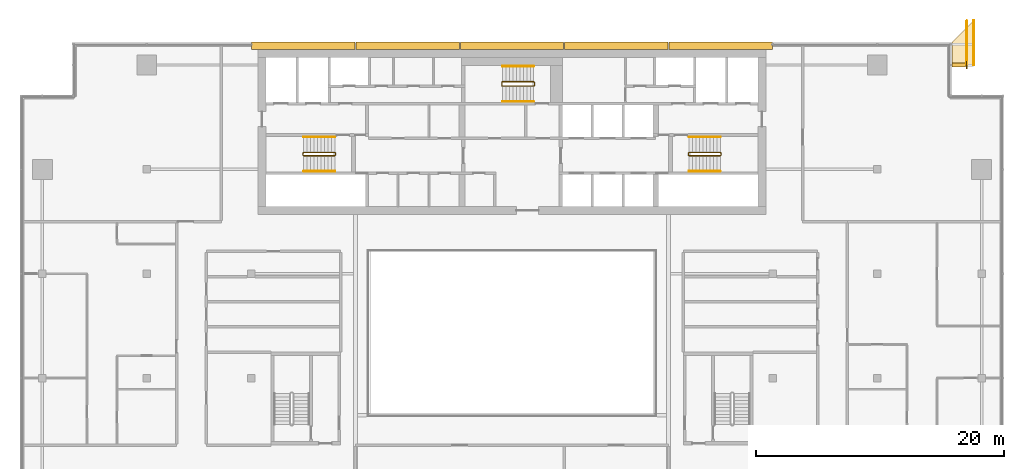
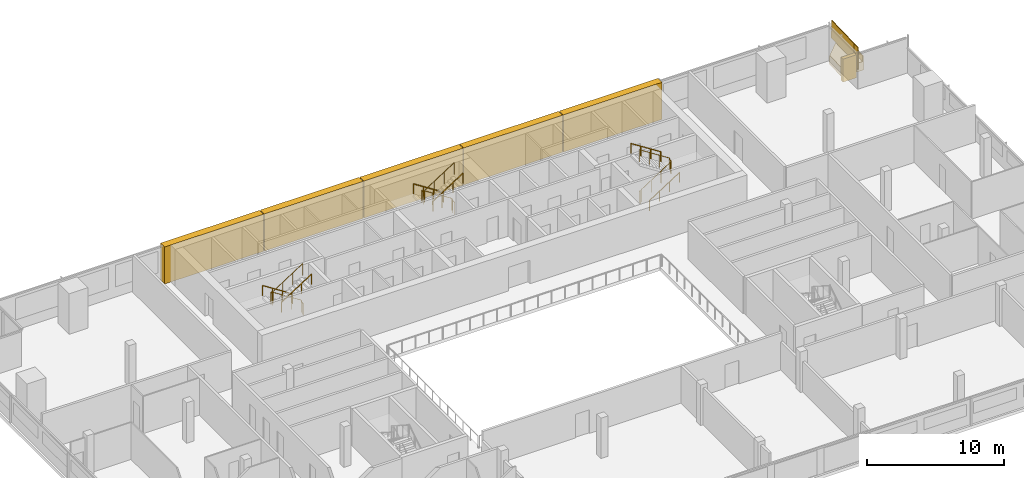
# One storey, part 25 of 25: 11 railings, 8 coverings.
"""IFC4 building model written with IfcOpenShell, lengths in metres."""

from ifc_helpers import new_model, si_unit, direction, frame, origin, origin_2d, place, context, subcontext, project, spatial, polyline, rectangle, circle, outline, extrude, material, layer, layer_set, type_object, element, save


model = new_model("IFC4")

# Units and contexts
model_context = context("Model", 3, precision=1e-05, world=origin(), true_north=direction((0.0, 1.0)))
body_context = subcontext(model_context, "Body", "Model", "MODEL_VIEW")
ifc_project = project(units=[si_unit("LENGTHUNIT", "METRE"), si_unit("AREAUNIT", "SQUARE_METRE"), si_unit("VOLUMEUNIT", "CUBIC_METRE"), si_unit("PLANEANGLEUNIT", "RADIAN"), si_unit("MASSUNIT", "GRAM", prefix="KILO")], contexts=[model_context])

# Site, building, storey
site_placement = place(None, origin())
site = spatial("IfcSite", under=ifc_project, at=site_placement, CompositionType="ELEMENT")
building_placement = place(site_placement, origin())
building = spatial("IfcBuilding", under=site, at=building_placement, Name="Saffron Gate Tower", CompositionType="ELEMENT")
storey_placement = place(building_placement, frame((0.0, 0.0, 248.699951171875)))
storey = spatial("IfcBuildingStorey", under=building, at=storey_placement, Name="L61", CompositionType="ELEMENT", Elevation=248.699951171875)

# Coverings
ifc_material_1 = material(Name="Ceramic-printed bronze insulated panel")
ifc_layer_1 = layer(ifc_material_1, 0.590087890625)
ifc_layer_set_1 = layer_set([ifc_layer_1], Name="CLD4 ceramic-printed cladding panel 590")
covering_type_1 = type_object("IfcCoveringType", Name="CLD4 ceramic-printed cladding panel 590", PredefinedType="CLADDING", material=ifc_layer_set_1)
covering_1_placement = place(storey_placement, origin())
element("IfcCovering", 1, at=covering_1_placement, inside=storey, type_object=covering_type_1, Name="CLADDING ceramic-printed panel", PredefinedType="CLADDING", context=body_context, shape_type="SweptSolid", body=[
    extrude(outline(polyline([(108.56494140625, 75.639892578125), (100.235107421875, 75.639892578125), (100.235107421875, 75.050048828125), (108.56494140625, 75.050048828125), (108.56494140625, 75.639892578125)])), origin(), (0.0, 0.0, 1.0), 3.300048828125),
])
covering_2_placement = place(storey_placement, origin())
element("IfcCovering", 2, at=covering_2_placement, inside=storey, type_object=covering_type_1, Name="CLADDING ceramic-printed panel", PredefinedType="CLADDING", context=body_context, shape_type="SweptSolid", body=[
    extrude(outline(polyline([(100.1650390625, 75.639892578125), (91.8349609375, 75.639892578125), (91.8349609375, 75.050048828125), (100.1650390625, 75.050048828125), (100.1650390625, 75.639892578125)])), origin(), (0.0, 0.0, 1.0), 3.300048828125),
])
covering_3_placement = place(storey_placement, origin())
element("IfcCovering", 3, at=covering_3_placement, inside=storey, type_object=covering_type_1, Name="CLADDING ceramic-printed panel", PredefinedType="CLADDING", context=body_context, shape_type="SweptSolid", body=[
    extrude(outline(polyline([(91.764892578125, 75.639892578125), (83.43505859375, 75.639892578125), (83.43505859375, 75.050048828125), (91.764892578125, 75.050048828125), (91.764892578125, 75.639892578125)])), origin(), (0.0, 0.0, 1.0), 3.300048828125),
])
covering_4_placement = place(storey_placement, origin())
element("IfcCovering", 4, at=covering_4_placement, inside=storey, type_object=covering_type_1, Name="CLADDING ceramic-printed panel", PredefinedType="CLADDING", context=body_context, shape_type="SweptSolid", body=[
    extrude(outline(polyline([(83.364990234375, 75.639892578125), (75.034912109375, 75.639892578125), (75.034912109375, 75.050048828125), (83.364990234375, 75.050048828125), (83.364990234375, 75.639892578125)])), origin(), (0.0, 0.0, 1.0), 3.300048828125),
])
covering_5_placement = place(storey_placement, origin())
element("IfcCovering", 5, at=covering_5_placement, inside=storey, type_object=covering_type_1, Name="CLADDING ceramic-printed panel", PredefinedType="CLADDING", context=body_context, shape_type="SweptSolid", body=[
    extrude(outline(polyline([(74.965087890625, 75.639892578125), (66.635009765625, 75.639892578125), (66.635009765625, 75.050048828125), (74.965087890625, 75.050048828125), (74.965087890625, 75.639892578125)])), origin(), (0.0, 0.0, 1.0), 3.300048828125),
])

# Railings
ifc_material_2 = material(Name="Stainless steel and laminated glass", Category="steel")
railing_type_1 = type_object("IfcRailingType", Name="CR1 Stair guard 1100", PredefinedType="GUARDRAIL", material=ifc_material_2)
railing_1_placement = place(storey_placement, frame((73.39990234375, 66.550048828125, 0.0)))
element("IfcRailing", 6, at=railing_1_placement, inside=storey, type_object=railing_type_1, Name="L61 ST-A stair guard 1", PredefinedType="GUARDRAIL", context=body_context, shape_type="SweptSolid", body=[
    extrude(circle(Radius=0.02392578125, at=origin_2d()), frame((0.0, 0.0, 1.076171875), z_axis=(0.0, 1.0, 0.0), x_axis=(-1.0, 0.0, 0.0)), (0.0, 0.0, 1.0), 0.14990234375),
    extrude(circle(Radius=0.02392578125, at=origin_2d()), frame((0.0, 0.14990234375, 1.076171875), z_axis=(-0.257669022063, 0.258932105505, 0.930892496375), x_axis=(-0.708833529934, -0.705375805398, 0.0)), (0.0, 0.0, 1.0), 0.193359375),
    extrude(circle(Radius=0.02392578125, at=origin_2d()), frame((-0.0498046875, 0.199951171875, 1.255859375), z_axis=(-0.841162588446, 0.0, 0.540782303519), x_axis=(0.0, -1.0, 0.0)), (0.0, 0.0, 1.0), 2.995849609375),
    extrude(circle(Radius=0.02392578125, at=origin_2d()), frame((-2.56982421875, 0.199951171875, 2.8759765625), z_axis=(-0.707106781187, -0.707106781187, 0.0), x_axis=(0.707106781187, -0.707106781187, 0.0)), (0.0, 0.0, 1.0), 0.07080078125),
    extrude(circle(Radius=0.02392578125, at=origin_2d()), frame((-2.619873046875, 0.14990234375, 2.8759765625), z_axis=(0.0, -1.0, 0.0), x_axis=(1.0, 0.0, 0.0)), (0.0, 0.0, 1.0), 0.14990234375),
    extrude(circle(Radius=0.02392578125, at=origin_2d()), frame((-2.619873046875, 0.0, 2.8759765625), z_axis=(0.258847668887, -0.258847668887, 0.930588936439), x_axis=(0.707106781187, 0.707106781187, 0.0)), (0.0, 0.0, 1.0), 0.193359375),
    extrude(circle(Radius=0.02392578125, at=origin_2d()), frame((-2.56982421875, -0.050048828125, 3.05615234375), z_axis=(0.841162588446, 0.0, 0.540782303519), x_axis=(0.0, 1.0, 0.0)), (0.0, 0.0, 1.0), 2.995849609375),
    extrude(circle(Radius=0.02099609375, at=origin_2d()), origin(), (0.0, 0.0, 1.0), 1.052001953125),
    extrude(circle(Radius=0.02099609375, at=origin_2d()), frame((0.0, 0.14990234375, 0.0)), (0.0, 0.0, 1.0), 1.052001953125),
    extrude(circle(Radius=0.02099609375, at=origin_2d()), frame((-0.0498046875, 0.199951171875, 0.179931640625)), (0.0, 0.0, 1.0), 1.052001953125),
    extrude(circle(Radius=0.02099609375, at=origin_2d()), frame((-0.889892578125, 0.199951171875, 0.719970703125)), (0.0, 0.0, 1.0), 1.052001953125),
    extrude(circle(Radius=0.02099609375, at=origin_2d()), frame((-1.729736328125, 0.199951171875, 1.260009765625)), (0.0, 0.0, 1.0), 1.052001953125),
    extrude(circle(Radius=0.02099609375, at=origin_2d()), frame((-2.56982421875, 0.199951171875, 1.800048828125)), (0.0, 0.0, 1.0), 1.052001953125),
    extrude(circle(Radius=0.02099609375, at=origin_2d()), frame((-2.619873046875, 0.14990234375, 1.800048828125)), (0.0, 0.0, 1.0), 1.052001953125),
    extrude(circle(Radius=0.02099609375, at=origin_2d()), frame((-2.619873046875, 0.0, 1.800048828125)), (0.0, 0.0, 1.0), 1.052001953125),
    extrude(circle(Radius=0.02099609375, at=origin_2d()), frame((-2.56982421875, -0.050048828125, 1.97998046875)), (0.0, 0.0, 1.0), 1.052001953125),
    extrude(circle(Radius=0.02099609375, at=origin_2d()), frame((-1.729736328125, -0.050048828125, 2.52001953125)), (0.0, 0.0, 1.0), 1.052001953125),
    extrude(circle(Radius=0.02099609375, at=origin_2d()), frame((-0.889892578125, -0.050048828125, 3.06005859375)), (0.0, 0.0, 1.0), 1.052001953125),
    extrude(circle(Radius=0.02099609375, at=origin_2d()), frame((-0.0498046875, -0.050048828125, 3.60009765625)), (0.0, 0.0, 1.0), 1.052001953125),
])
railing_2_placement = place(storey_placement, frame((101.800048828125, 66.699951171875, 0.0)))
element("IfcRailing", 7, at=railing_2_placement, inside=storey, type_object=railing_type_1, Name="L61 ST-B stair guard 1", PredefinedType="GUARDRAIL", context=body_context, shape_type="SweptSolid", body=[
    extrude(circle(Radius=0.02392578125, at=origin_2d()), frame((0.0, 0.0, 1.076171875), z_axis=(0.0, -1.0, 0.0), x_axis=(1.0, 0.0, 0.0)), (0.0, 0.0, 1.0), 0.14990234375),
    extrude(circle(Radius=0.02392578125, at=origin_2d()), frame((0.0, -0.14990234375, 1.076171875), z_axis=(0.258847668887, -0.258847668887, 0.930588936439), x_axis=(0.707106781187, 0.707106781187, 0.0)), (0.0, 0.0, 1.0), 0.193359375),
    extrude(circle(Radius=0.02392578125, at=origin_2d()), frame((0.050048828125, -0.199951171875, 1.255859375), z_axis=(0.841162588446, 0.0, 0.540782303519), x_axis=(0.0, 1.0, 0.0)), (0.0, 0.0, 1.0), 2.995849609375),
    extrude(circle(Radius=0.02392578125, at=origin_2d()), frame((2.570068359375, -0.199951171875, 2.8759765625), z_axis=(0.705375805398, 0.708833529934, 0.0), x_axis=(-0.708833529934, 0.705375805398, 0.0)), (0.0, 0.0, 1.0), 0.070556640625),
    extrude(circle(Radius=0.02392578125, at=origin_2d()), frame((2.619873046875, -0.14990234375, 2.8759765625), z_axis=(0.0, 1.0, 0.0), x_axis=(-1.0, 0.0, 0.0)), (0.0, 0.0, 1.0), 0.14990234375),
    extrude(circle(Radius=0.02392578125, at=origin_2d()), frame((2.619873046875, 0.0, 2.8759765625), z_axis=(-0.257669022063, 0.258932105505, 0.930892496375), x_axis=(-0.708833529934, -0.705375805398, 0.0)), (0.0, 0.0, 1.0), 0.193359375),
    extrude(circle(Radius=0.02392578125, at=origin_2d()), frame((2.570068359375, 0.050048828125, 3.05615234375), z_axis=(-0.841162588446, 0.0, 0.540782303519), x_axis=(0.0, -1.0, 0.0)), (0.0, 0.0, 1.0), 2.995849609375),
    extrude(circle(Radius=0.02099609375, at=origin_2d()), origin(), (0.0, 0.0, 1.0), 1.052001953125),
    extrude(circle(Radius=0.02099609375, at=origin_2d()), frame((0.0, -0.14990234375, 0.0)), (0.0, 0.0, 1.0), 1.052001953125),
    extrude(circle(Radius=0.02099609375, at=origin_2d()), frame((0.050048828125, -0.199951171875, 0.179931640625)), (0.0, 0.0, 1.0), 1.052001953125),
    extrude(circle(Radius=0.02099609375, at=origin_2d()), frame((0.89013671875, -0.199951171875, 0.719970703125)), (0.0, 0.0, 1.0), 1.052001953125),
    extrude(circle(Radius=0.02099609375, at=origin_2d()), frame((1.72998046875, -0.199951171875, 1.260009765625)), (0.0, 0.0, 1.0), 1.052001953125),
    extrude(circle(Radius=0.02099609375, at=origin_2d()), frame((2.570068359375, -0.199951171875, 1.800048828125)), (0.0, 0.0, 1.0), 1.052001953125),
    extrude(circle(Radius=0.02099609375, at=origin_2d()), frame((2.619873046875, -0.14990234375, 1.800048828125)), (0.0, 0.0, 1.0), 1.052001953125),
    extrude(circle(Radius=0.02099609375, at=origin_2d()), frame((2.619873046875, 0.0, 1.800048828125)), (0.0, 0.0, 1.0), 1.052001953125),
    extrude(circle(Radius=0.02099609375, at=origin_2d()), frame((2.570068359375, 0.050048828125, 1.97998046875)), (0.0, 0.0, 1.0), 1.052001953125),
    extrude(circle(Radius=0.02099609375, at=origin_2d()), frame((1.72998046875, 0.050048828125, 2.52001953125)), (0.0, 0.0, 1.0), 1.052001953125),
    extrude(circle(Radius=0.02099609375, at=origin_2d()), frame((0.89013671875, 0.050048828125, 3.06005859375)), (0.0, 0.0, 1.0), 1.052001953125),
    extrude(circle(Radius=0.02099609375, at=origin_2d()), frame((0.050048828125, 0.050048828125, 3.60009765625)), (0.0, 0.0, 1.0), 1.052001953125),
])
railing_3_placement = place(storey_placement, frame((89.39990234375, 72.14990234375, 0.0)))
element("IfcRailing", 8, at=railing_3_placement, inside=storey, type_object=railing_type_1, Name="L61 ST-C stair guard 1", PredefinedType="GUARDRAIL", context=body_context, shape_type="SweptSolid", body=[
    extrude(circle(Radius=0.02392578125, at=origin_2d()), frame((0.0, 0.0, 1.076171875), z_axis=(0.0, 1.0, 0.0), x_axis=(-1.0, 0.0, 0.0)), (0.0, 0.0, 1.0), 0.25),
    extrude(circle(Radius=0.02392578125, at=origin_2d()), frame((0.0, 0.25, 1.076171875), z_axis=(-0.257669022063, 0.258932105505, 0.930892496375), x_axis=(-0.708833529934, -0.705375805398, 0.0)), (0.0, 0.0, 1.0), 0.193359375),
    extrude(circle(Radius=0.02392578125, at=origin_2d()), frame((-0.0498046875, 0.300048828125, 1.255859375), z_axis=(-0.841162588446, 0.0, 0.540782303519), x_axis=(0.0, -1.0, 0.0)), (0.0, 0.0, 1.0), 2.995849609375),
    extrude(circle(Radius=0.02392578125, at=origin_2d()), frame((-2.56982421875, 0.300048828125, 2.8759765625), z_axis=(-0.707106781187, -0.707106781187, 0.0), x_axis=(0.707106781187, -0.707106781187, 0.0)), (0.0, 0.0, 1.0), 0.07080078125),
    extrude(circle(Radius=0.02392578125, at=origin_2d()), frame((-2.619873046875, 0.25, 2.8759765625), z_axis=(0.0, -1.0, 0.0), x_axis=(1.0, 0.0, 0.0)), (0.0, 0.0, 1.0), 0.25),
    extrude(circle(Radius=0.02392578125, at=origin_2d()), frame((-2.619873046875, 0.0, 2.8759765625), z_axis=(0.258932105505, -0.257669022063, 0.930892496375), x_axis=(0.705375805398, 0.708833529934, 0.0)), (0.0, 0.0, 1.0), 0.193359375),
    extrude(circle(Radius=0.02392578125, at=origin_2d()), frame((-2.56982421875, -0.0498046875, 3.05615234375), z_axis=(0.841162588446, 0.0, 0.540782303519), x_axis=(0.0, 1.0, 0.0)), (0.0, 0.0, 1.0), 2.995849609375),
    extrude(circle(Radius=0.02099609375, at=origin_2d()), origin(), (0.0, 0.0, 1.0), 1.052001953125),
    extrude(circle(Radius=0.02099609375, at=origin_2d()), frame((0.0, 0.25, 0.0)), (0.0, 0.0, 1.0), 1.052001953125),
    extrude(circle(Radius=0.02099609375, at=origin_2d()), frame((-0.0498046875, 0.300048828125, 0.179931640625)), (0.0, 0.0, 1.0), 1.052001953125),
    extrude(circle(Radius=0.02099609375, at=origin_2d()), frame((-0.889892578125, 0.300048828125, 0.719970703125)), (0.0, 0.0, 1.0), 1.052001953125),
    extrude(circle(Radius=0.02099609375, at=origin_2d()), frame((-1.729736328125, 0.300048828125, 1.260009765625)), (0.0, 0.0, 1.0), 1.052001953125),
    extrude(circle(Radius=0.02099609375, at=origin_2d()), frame((-2.56982421875, 0.300048828125, 1.800048828125)), (0.0, 0.0, 1.0), 1.052001953125),
    extrude(circle(Radius=0.02099609375, at=origin_2d()), frame((-2.619873046875, 0.25, 1.800048828125)), (0.0, 0.0, 1.0), 1.052001953125),
    extrude(circle(Radius=0.02099609375, at=origin_2d()), frame((-2.619873046875, 0.0, 1.800048828125)), (0.0, 0.0, 1.0), 1.052001953125),
    extrude(circle(Radius=0.02099609375, at=origin_2d()), frame((-2.56982421875, -0.0498046875, 1.97998046875)), (0.0, 0.0, 1.0), 1.052001953125),
    extrude(circle(Radius=0.02099609375, at=origin_2d()), frame((-1.729736328125, -0.0498046875, 2.52001953125)), (0.0, 0.0, 1.0), 1.052001953125),
    extrude(circle(Radius=0.02099609375, at=origin_2d()), frame((-0.889892578125, -0.0498046875, 3.06005859375)), (0.0, 0.0, 1.0), 1.052001953125),
    extrude(circle(Radius=0.02099609375, at=origin_2d()), frame((-0.0498046875, -0.0498046875, 3.60009765625)), (0.0, 0.0, 1.0), 1.052001953125),
])
ifc_material_3 = material(Name="Stainless steel", Category="steel")
railing_type_2 = type_object("IfcRailingType", Name="CR2 Stair handrail 900", PredefinedType="HANDRAIL", material=ifc_material_3)
railing_4_placement = place(storey_placement, frame((73.35009765625, 68.0, 0.179931640625)))
element("IfcRailing", 9, at=railing_4_placement, inside=storey, type_object=railing_type_2, Name="L61 ST-A stair handrail 1", PredefinedType="HANDRAIL", context=body_context, shape_type="SweptSolid", body=[
    extrude(circle(Radius=0.02392578125, at=origin_2d()), frame((0.0, 0.0, 0.8759765625), z_axis=(-0.841162588446, 0.0, 0.540782303519), x_axis=(0.0, -1.0, 0.0)), (0.0, 0.0, 1.0), 2.995849609375),
    extrude(circle(Radius=0.02099609375, at=origin_2d()), origin(), (0.0, 0.0, 1.0), 0.851806640625),
    extrude(circle(Radius=0.02099609375, at=origin_2d()), frame((-0.840087890625, 0.0, 0.5400390625)), (0.0, 0.0, 1.0), 0.851806640625),
    extrude(circle(Radius=0.02099609375, at=origin_2d()), frame((-1.679931640625, 0.0, 1.080078125)), (0.0, 0.0, 1.0), 0.851806640625),
    extrude(circle(Radius=0.02099609375, at=origin_2d()), frame((-2.52001953125, 0.0, 1.6201171875)), (0.0, 0.0, 1.0), 0.851806640625),
])
for number, where, name in (
    (10, (70.830078125, 65.25, 1.97998046875), "L61 ST-A stair handrail 2"),
    (11, (101.85009765625, 65.25, 0.179931640625), "L61 ST-B stair handrail 1"),
):
    element("IfcRailing", number, at=place(storey_placement, frame(where)), inside=storey, type_object=railing_type_2, Name=name, PredefinedType="HANDRAIL", context=body_context, shape_type="SweptSolid", body=[
        extrude(circle(Radius=0.02392578125, at=origin_2d()), frame((0.0, 0.0, 0.8759765625), z_axis=(0.841162588446, 0.0, 0.540782303519), x_axis=(0.0, 1.0, 0.0)), (0.0, 0.0, 1.0), 2.995849609375),
        extrude(circle(Radius=0.02099609375, at=origin_2d()), origin(), (0.0, 0.0, 1.0), 0.851806640625),
        extrude(circle(Radius=0.02099609375, at=origin_2d()), frame((0.840087890625, 0.0, 0.5400390625)), (0.0, 0.0, 1.0), 0.851806640625),
        extrude(circle(Radius=0.02099609375, at=origin_2d()), frame((1.679931640625, 0.0, 1.080078125)), (0.0, 0.0, 1.0), 0.851806640625),
        extrude(circle(Radius=0.02099609375, at=origin_2d()), frame((2.52001953125, 0.0, 1.6201171875)), (0.0, 0.0, 1.0), 0.851806640625),
    ])
for number, where, name in (
    (12, (104.3701171875, 68.0, 1.97998046875), "L61 ST-B stair handrail 2"),
    (13, (89.35009765625, 73.699951171875, 0.179931640625), "L61 ST-C stair handrail 1"),
):
    element("IfcRailing", number, at=place(storey_placement, frame(where)), inside=storey, type_object=railing_type_2, Name=name, PredefinedType="HANDRAIL", context=body_context, shape_type="SweptSolid", body=[
        extrude(circle(Radius=0.02392578125, at=origin_2d()), frame((0.0, 0.0, 0.8759765625), z_axis=(-0.841162588446, 0.0, 0.540782303519), x_axis=(0.0, -1.0, 0.0)), (0.0, 0.0, 1.0), 2.995849609375),
        extrude(circle(Radius=0.02099609375, at=origin_2d()), origin(), (0.0, 0.0, 1.0), 0.851806640625),
        extrude(circle(Radius=0.02099609375, at=origin_2d()), frame((-0.840087890625, 0.0, 0.5400390625)), (0.0, 0.0, 1.0), 0.851806640625),
        extrude(circle(Radius=0.02099609375, at=origin_2d()), frame((-1.679931640625, 0.0, 1.080078125)), (0.0, 0.0, 1.0), 0.851806640625),
        extrude(circle(Radius=0.02099609375, at=origin_2d()), frame((-2.52001953125, 0.0, 1.6201171875)), (0.0, 0.0, 1.0), 0.851806640625),
    ])
railing_5_placement = place(storey_placement, frame((86.830078125, 70.85009765625, 1.97998046875)))
element("IfcRailing", 14, at=railing_5_placement, inside=storey, type_object=railing_type_2, Name="L61 ST-C stair handrail 2", PredefinedType="HANDRAIL", context=body_context, shape_type="SweptSolid", body=[
    extrude(circle(Radius=0.02392578125, at=origin_2d()), frame((0.0, 0.0, 0.8759765625), z_axis=(0.841162588446, 0.0, 0.540782303519), x_axis=(0.0, 1.0, 0.0)), (0.0, 0.0, 1.0), 2.995849609375),
    extrude(circle(Radius=0.02099609375, at=origin_2d()), origin(), (0.0, 0.0, 1.0), 0.851806640625),
    extrude(circle(Radius=0.02099609375, at=origin_2d()), frame((0.840087890625, 0.0, 0.5400390625)), (0.0, 0.0, 1.0), 0.851806640625),
    extrude(circle(Radius=0.02099609375, at=origin_2d()), frame((1.679931640625, 0.0, 1.080078125)), (0.0, 0.0, 1.0), 0.851806640625),
    extrude(circle(Radius=0.02099609375, at=origin_2d()), frame((2.52001953125, 0.0, 1.6201171875)), (0.0, 0.0, 1.0), 0.851806640625),
])

# Coverings
ifc_material_4 = material(Name="Timber, thermally modified ash", Category="wood")
ifc_layer_2 = layer(ifc_material_4, 0.800048828125)
ifc_layer_set_2 = layer_set([ifc_layer_2], Name="LD1 ledge timber")
covering_type_2 = type_object("IfcCoveringType", Name="LD1 ledge timber", PredefinedType="CLADDING", material=ifc_layer_set_2)
covering_6_placement = place(storey_placement, frame((123.0, 73.800048828125, 0.2490234375), z_axis=(-4.6492774e-05, -0.028788135707, 0.99958553465), x_axis=(-2.161e-09, 0.99958553573, 0.028788135738)))
element("IfcCovering", 15, at=covering_6_placement, inside=storey, type_object=covering_type_2, Name="LEDGE", PredefinedType="CLADDING", context=body_context, shape_type="SweptSolid", body=[
    extrude(outline(polyline([(0.0, 0.0), (1.8007927831333284, -4.235164736271502e-22), (3.6013485512933356, -1.8000488378518529), (-3.889338571966608e-09, -1.8000488261795269), (0.0, 0.0)])), origin(), (0.0, 0.0, -1.0), 0.800048828125),
])
ifc_layer_3 = layer(ifc_material_4, 0.080078125)
ifc_layer_set_3 = layer_set([ifc_layer_3], Name="LD2 ledge planter trough")
covering_type_3 = type_object("IfcCoveringType", Name="LD2 ledge planter trough", PredefinedType="CLADDING", material=ifc_layer_set_3)
covering_7_placement = place(storey_placement, frame((124.800048828125, 73.800048828125, 0.2490234375), z_axis=(1.0, 0.0, 0.0), x_axis=(0.0, 0.999584866472, 0.028811364412)))
element("IfcCovering", 16, at=covering_7_placement, inside=storey, type_object=covering_type_3, Name="LEDGE planter trough", PredefinedType="CLADDING", context=body_context, shape_type="SweptSolid", body=[
    extrude(outline(polyline([(0.0, 0.0), (3.601348556155073, 0.0), (3.6157542383609322, 0.49979243323622236), (0.01440568220585924, 0.49979243323622236), (0.0, 0.0)])), origin(), (0.0, 0.0, -1.0), 0.080078125),
])
ifc_layer_4 = layer(ifc_material_4, 0.300048828125)
ifc_layer_set_4 = layer_set([ifc_layer_4], Name="LD3 ledge riser fin")
covering_type_4 = type_object("IfcCoveringType", Name="LD3 ledge riser fin", PredefinedType="CLADDING", material=ifc_layer_set_4)
covering_8_placement = place(storey_placement, frame((123.56005859375, 73.800048828125, -0.89404296875), z_axis=(0.0, 0.0, 1.0), x_axis=(0.0, 1.0, 0.0)))
element("IfcCovering", 17, at=covering_8_placement, inside=storey, type_object=covering_type_4, Name="LEDGE riser fin", PredefinedType="CLADDING", context=body_context, shape_type="SweptSolid", body=[
    extrude(rectangle(XDim=0.300048828125, YDim=1.1201171875, at=origin_2d()), origin(), (0.0, 0.0, 1.0), 2.04296875),
])

# Railings
railing_type_3 = type_object("IfcRailingType", Name="LG1 ledge balustrade", PredefinedType="BALUSTRADE", material=ifc_material_4)
railing_6_placement = place(storey_placement, frame((124.199951171875, 73.800048828125, 0.2490234375)))
element("IfcRailing", 18, at=railing_6_placement, inside=storey, type_object=railing_type_3, Name="LEDGE BALUSTRADE", PredefinedType="BALUSTRADE", context=body_context, shape_type="SweptSolid", body=[
    extrude(rectangle(XDim=0.06005859375, YDim=1.60009765625, at=origin_2d()), frame((0.0, 0.0, 0.800048828125), z_axis=(0.0, 0.999584866472, 0.028811364412), x_axis=(-1.0, 0.0, 0.0)), (0.0, 0.0, 1.0), 3.601318359375),
])
railing_7_placement = place(storey_placement, frame((124.199951171875, 73.5, -0.093994140625)))
element("IfcRailing", 19, at=railing_7_placement, inside=storey, type_object=railing_type_3, Name="LEDGE BALUSTRADE", PredefinedType="BALUSTRADE", context=body_context, shape_type="SweptSolid", body=[
    extrude(rectangle(XDim=0.06005859375, YDim=1.943115234375, at=origin_2d()), frame((0.0, 0.0, 0.9716796875), z_axis=(0.0, 1.0, 0.0), x_axis=(-1.0, 0.0, 0.0)), (0.0, 0.0, 1.0), 0.60009765625),
])

save(model, "model.ifc")
